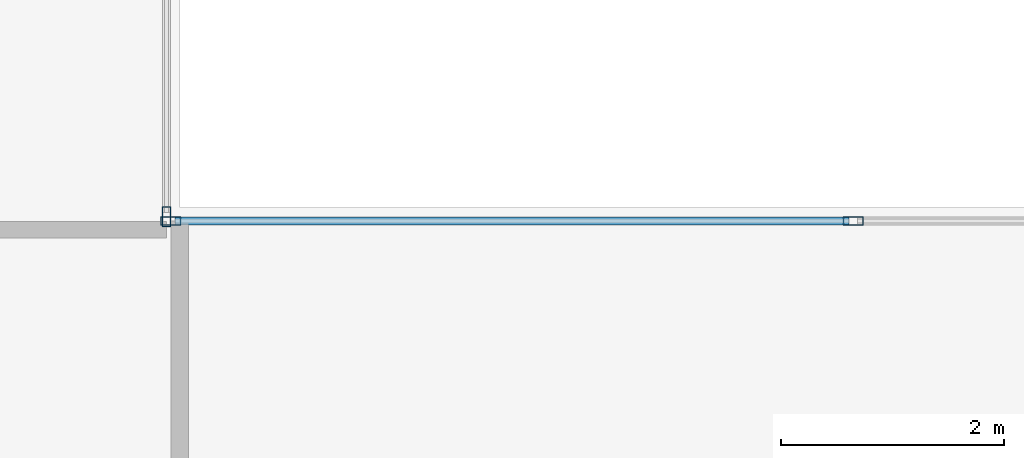
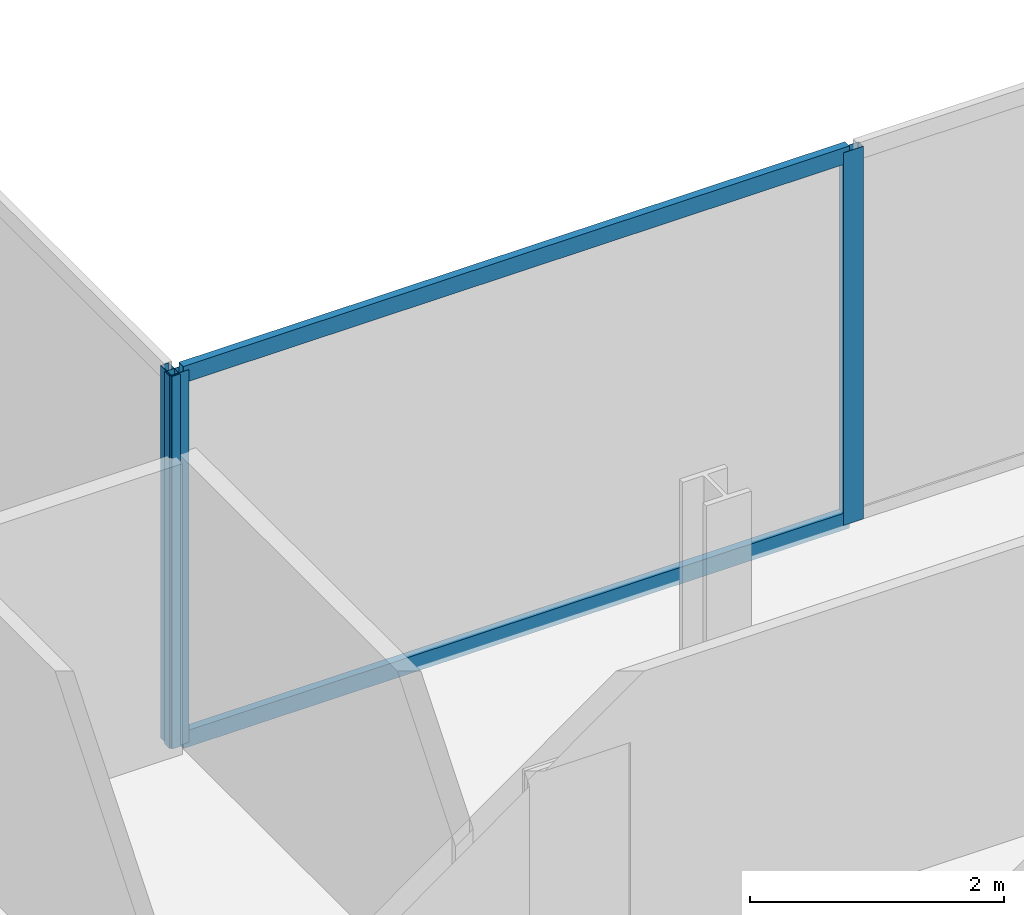
# One storey, part 7 of 23: 5 members, 2 elements without a shape of their own.
"""IFC4 building model written with IfcOpenShell, lengths in metres."""

from ifc_helpers import new_model, si_unit, direction, frame, origin, origin_2d, place, context, subcontext, project, spatial, hollow_rectangle, extrude, material, material_profile, profile_set, type_object, element, aggregate, save


model = new_model("IFC4")

# Units and contexts
model_context = context("Model", 3, precision=1e-05, world=origin(), true_north=direction((0.0, 1.0)))
body_context = subcontext(model_context, "Body", "Model", "MODEL_VIEW")
ifc_project = project(units=[si_unit("LENGTHUNIT", "METRE"), si_unit("AREAUNIT", "SQUARE_METRE"), si_unit("VOLUMEUNIT", "CUBIC_METRE"), si_unit("PLANEANGLEUNIT", "RADIAN"), si_unit("MASSUNIT", "GRAM", prefix="KILO")], contexts=[model_context])

# Site, building, storey
site_placement = place(None, origin())
site = spatial("IfcSite", under=ifc_project, at=site_placement, CompositionType="ELEMENT")
building_placement = place(site_placement, origin())
building = spatial("IfcBuilding", under=site, at=building_placement, Name="Cobrela Telecom Tower", CompositionType="ELEMENT")
storey_placement = place(building_placement, frame((0.0, 0.0, 109.89990234375)))
storey = spatial("IfcBuildingStorey", under=building, at=storey_placement, Name="L27", CompositionType="ELEMENT", Elevation=109.89990234375)

# Curtain wall, member
ifc_material = material(Name="Anodized Bronze Aluminium 6063-T6", Category="aluminium")
curtain_wall_type = type_object("IfcCurtainWallType", Name="CW-SYS-TEL", PredefinedType="USERDEFINED", material=ifc_material)
curtain_wall_1_placement = place(storey_placement, origin())
curtain_wall_1 = element("IfcCurtainWall", 1, at=curtain_wall_1_placement, inside=storey, type_object=curtain_wall_type, Name="L27 Unitised Bronze Curtain Wall 10", ObjectType="UNITISED CURTAIN WALL", PredefinedType="USERDEFINED")
ifc_material_profile_1 = material_profile(ifc_material, hollow_rectangle(XDim=0.074951171875, YDim=0.179931640625, WallThickness=0.00390625, at=origin_2d()), Name="ALU 75x180x4")
ifc_profile_set_1 = profile_set([ifc_material_profile_1], Name="Anodized Bronze Aluminium 6063-T6")
member_type_1 = type_object("IfcMemberType", Name="CW-SYS-TEL-MUL", PredefinedType="MULLION", material=ifc_profile_set_1)
member_1_placement = place(storey_placement, frame((25.8798828125, 25.117431640625, 0.0), z_axis=(0.0, 0.0, 1.0), x_axis=(1.0, 0.0, 0.0)))
member_1 = element("IfcMember", 2, at=member_1_placement, type_object=member_type_1, Name="CW-TEL mullion 3", PredefinedType="MULLION", context=body_context, shape_type="SweptSolid", body=[
    extrude(hollow_rectangle(XDim=0.074951171875, YDim=0.179931640625, WallThickness=0.00390625, at=origin_2d()), origin(), (0.0, 0.0, 1.0), 3.580078125),
])
aggregate(curtain_wall_1, [member_1])

# Curtain wall, members
curtain_wall_2_placement = place(storey_placement, origin())
curtain_wall_2 = element("IfcCurtainWall", 3, at=curtain_wall_2_placement, inside=storey, type_object=curtain_wall_type, Name="L27 Unitised Bronze Curtain Wall 11", ObjectType="UNITISED CURTAIN WALL", PredefinedType="USERDEFINED")
member_2_placement = place(storey_placement, frame((25.91748046875, 25.080078125, 0.0), z_axis=(0.0, 0.0, 1.0), x_axis=(0.0, 1.0, 0.0)))
member_2 = element("IfcMember", 4, at=member_2_placement, type_object=member_type_1, Name="CW-TEL mullion 1", PredefinedType="MULLION", context=body_context, shape_type="SweptSolid", body=[
    extrude(hollow_rectangle(XDim=0.074951171875, YDim=0.179931640625, WallThickness=0.00390625, at=origin_2d()), origin(), (0.0, 0.0, 1.0), 3.580078125),
])
member_3_placement = place(storey_placement, frame((32.043212890625, 25.080078125, 0.0), z_axis=(0.0, 0.0, 1.0), x_axis=(0.0, 1.0, 0.0)))
member_3 = element("IfcMember", 5, at=member_3_placement, type_object=member_type_1, Name="CW-TEL mullion 2", PredefinedType="MULLION", context=body_context, shape_type="SweptSolid", body=[
    extrude(hollow_rectangle(XDim=0.074951171875, YDim=0.179931640625, WallThickness=0.00390625, at=origin_2d()), origin(), (0.0, 0.0, 1.0), 3.580078125),
])
ifc_material_profile_2 = material_profile(ifc_material, hollow_rectangle(XDim=0.070068359375, YDim=0.159912109375, WallThickness=0.00390625, at=origin_2d()), Name="ALU 70x160x4")
ifc_profile_set_2 = profile_set([ifc_material_profile_2], Name="Anodized Bronze Aluminium 6063-T6")
member_type_2 = type_object("IfcMemberType", Name="CW-SYS-TEL-TRN", PredefinedType="USERDEFINED", material=ifc_profile_set_2)
member_4_placement = place(storey_placement, frame((25.955078125, 25.080078125, 0.03515625), z_axis=(1.0, 0.0, 0.0), x_axis=(0.0, 1.0, 0.0)))
member_4 = element("IfcMember", 6, at=member_4_placement, type_object=member_type_2, Name="CW-TEL transom 1.1", ObjectType="TRANSOM", PredefinedType="USERDEFINED", context=body_context, shape_type="SweptSolid", body=[
    extrude(hollow_rectangle(XDim=0.070068359375, YDim=0.159912109375, WallThickness=0.00390625, at=origin_2d()), origin(), (0.0, 0.0, 1.0), 6.05078125),
])
member_5_placement = place(storey_placement, frame((25.955078125, 25.080078125, 3.545166015625), z_axis=(1.0, 0.0, 0.0), x_axis=(0.0, 1.0, 0.0)))
member_5 = element("IfcMember", 7, at=member_5_placement, type_object=member_type_2, Name="CW-TEL transom 1.2", ObjectType="TRANSOM", PredefinedType="USERDEFINED", context=body_context, shape_type="SweptSolid", body=[
    extrude(hollow_rectangle(XDim=0.070068359375, YDim=0.159912109375, WallThickness=0.00390625, at=origin_2d()), origin(), (0.0, 0.0, 1.0), 6.05078125),
])
aggregate(curtain_wall_2, [member_2, member_3, member_4, member_5])

save(model, "model.ifc")
